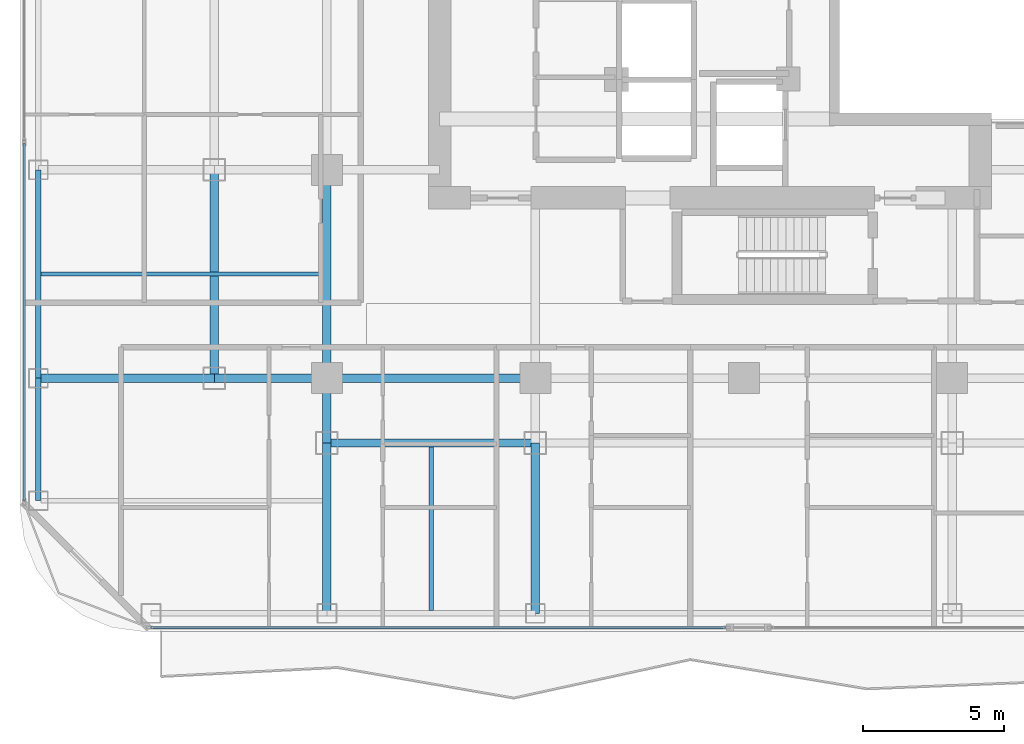
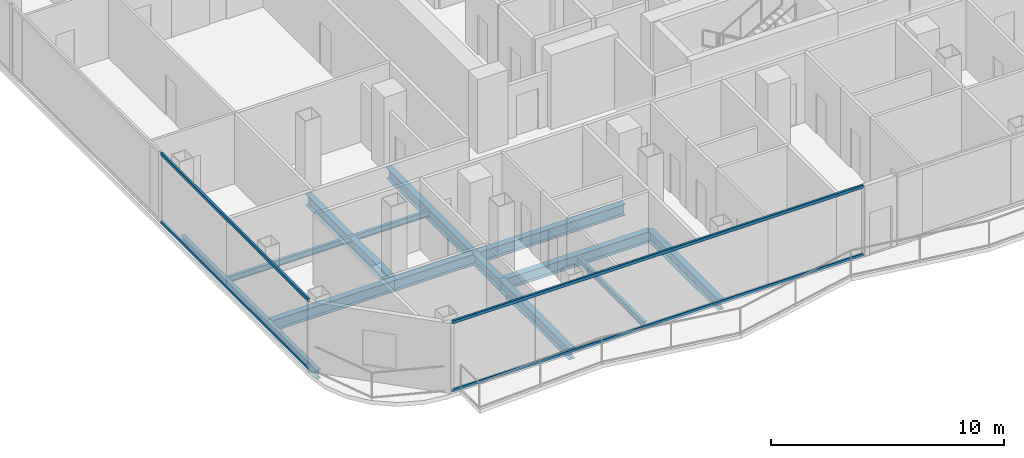
# One storey, part 3 of 25: 13 beams, 4 members, 2 elements without a shape of their own.
"""IFC4 building model written with IfcOpenShell, lengths in metres."""

from ifc_helpers import new_model, si_unit, direction, frame, origin, origin_2d, place, context, subcontext, project, spatial, hollow_rectangle, i_section, extrude, material, layer, layer_set, material_profile, profile_set, type_object, element, aggregate, save


model = new_model("IFC4")

# Units and contexts
model_context = context("Model", 3, precision=1e-05, world=origin(), true_north=direction((0.0, 1.0)))
body_context = subcontext(model_context, "Body", "Model", "MODEL_VIEW")
ifc_project = project(units=[si_unit("LENGTHUNIT", "METRE"), si_unit("AREAUNIT", "SQUARE_METRE"), si_unit("VOLUMEUNIT", "CUBIC_METRE"), si_unit("PLANEANGLEUNIT", "RADIAN"), si_unit("MASSUNIT", "GRAM", prefix="KILO")], contexts=[model_context])

# Site, building, storey
site_placement = place(None, origin())
site = spatial("IfcSite", under=ifc_project, at=site_placement, CompositionType="ELEMENT")
building_placement = place(site_placement, origin())
building = spatial("IfcBuilding", under=site, at=building_placement, Name="Khorvyn Point Tower", CompositionType="ELEMENT")
storey_placement = place(building_placement, frame((0.0, 0.0, 171.89990234375)))
storey = spatial("IfcBuildingStorey", under=building, at=storey_placement, Name="L42", CompositionType="ELEMENT", Elevation=171.89990234375)

# Curtain wall, members
ifc_material_1 = material(Name="Anodised aluminium 6063-T6 and laminated Low-E glass", Category="aluminium")
ifc_layer = layer(ifc_material_1, 0.18994140625)
ifc_layer_set = layer_set([ifc_layer], Name="Stick-Built Acoustic Curtain Wall CW-SYS-03")
curtain_wall_type = type_object("IfcCurtainWallType", Name="Stick-Built Acoustic Curtain Wall CW-SYS-03", PredefinedType="NOTDEFINED", material=ifc_layer_set)
curtain_wall_1_placement = place(storey_placement, origin())
curtain_wall_1 = element("IfcCurtainWall", 1, at=curtain_wall_1_placement, inside=storey, type_object=curtain_wall_type, Name="Curtain Wall", PredefinedType="NOTDEFINED")
ifc_material_2 = material(Name="Anodised aluminium 6063-T6", Category="aluminium")
ifc_material_profile_1 = material_profile(ifc_material_2, hollow_rectangle(XDim=0.10009765625, YDim=0.159912109375, WallThickness=0.00439453125, at=origin_2d()))
ifc_profile_set_1 = profile_set([ifc_material_profile_1], Name="Anodised aluminium 6063-T6 ALU-TRN-100x160")
member_type = type_object("IfcMemberType", Name="Anodised Aluminium 6063-T6 Transom ALU-TRN-100x160", PredefinedType="USERDEFINED", material=ifc_profile_set_1)
member_1_placement = place(storey_placement, frame((-0.64306640625, -23.64990234375, 0.050048828125), z_axis=(-1.0, 0.0, 0.0), x_axis=(0.0, -1.0, 0.0)))
member_1 = element("IfcMember", 2, at=member_1_placement, type_object=member_type, Name="Transom", ObjectType="TRANSOM", PredefinedType="USERDEFINED", context=body_context, shape_type="SweptSolid", body=[
    extrude(hollow_rectangle(XDim=0.10009765625, YDim=0.159912109375, WallThickness=0.00439453125, at=origin_2d()), origin(), (0.0, 0.0, 1.0), 20.406982421875),
])
member_2_placement = place(storey_placement, frame((-0.64306640625, -23.64990234375, 3.630126953125), z_axis=(-1.0, 0.0, 0.0), x_axis=(0.0, -1.0, 0.0)))
member_2 = element("IfcMember", 3, at=member_2_placement, type_object=member_type, Name="Transom", ObjectType="TRANSOM", PredefinedType="USERDEFINED", context=body_context, shape_type="SweptSolid", body=[
    extrude(hollow_rectangle(XDim=0.10009765625, YDim=0.159912109375, WallThickness=0.00439453125, at=origin_2d()), origin(), (0.0, 0.0, 1.0), 20.406982421875),
])
aggregate(curtain_wall_1, [member_1, member_2])

curtain_wall_2_placement = place(storey_placement, origin())
curtain_wall_2 = element("IfcCurtainWall", 4, at=curtain_wall_2_placement, inside=storey, type_object=curtain_wall_type, Name="Curtain Wall", PredefinedType="NOTDEFINED")
member_3_placement = place(storey_placement, frame((-25.550048828125, -19.14990234375, 0.050048828125), z_axis=(0.0, 1.0, 0.0), x_axis=(-1.0, 0.0, 0.0)))
member_3 = element("IfcMember", 5, at=member_3_placement, type_object=member_type, Name="Transom", ObjectType="TRANSOM", PredefinedType="USERDEFINED", context=body_context, shape_type="SweptSolid", body=[
    extrude(hollow_rectangle(XDim=0.10009765625, YDim=0.159912109375, WallThickness=0.00439453125, at=origin_2d()), origin(), (0.0, 0.0, 1.0), 12.683349609375),
])
member_4_placement = place(storey_placement, frame((-25.550048828125, -19.14990234375, 3.630126953125), z_axis=(0.0, 1.0, 0.0), x_axis=(-1.0, 0.0, 0.0)))
member_4 = element("IfcMember", 6, at=member_4_placement, type_object=member_type, Name="Transom", ObjectType="TRANSOM", PredefinedType="USERDEFINED", context=body_context, shape_type="SweptSolid", body=[
    extrude(hollow_rectangle(XDim=0.10009765625, YDim=0.159912109375, WallThickness=0.00439453125, at=origin_2d()), origin(), (0.0, 0.0, 1.0), 12.683349609375),
])
aggregate(curtain_wall_2, [member_3, member_4])

# Beams
ifc_material_3 = material(Name="Steel S355", Category="steel")
ifc_material_profile_2 = material_profile(ifc_material_3, i_section(OverallWidth=0.300048828125, OverallDepth=0.587890625, WebThickness=0.011962890625, FlangeThickness=0.02001953125, at=origin_2d()))
ifc_profile_set_2 = profile_set([ifc_material_profile_2], Name="Steel S355 H588x300x12x20")
beam_type_1 = type_object("IfcBeamType", Name="Steel S355 Beam H588x300x12x20", PredefinedType="BEAM", material=ifc_profile_set_2)
beam_1_placement = place(storey_placement, frame((-25.050048828125, -14.800048828125, -0.513916015625), z_axis=(1.0, 0.0, 0.0), x_axis=(0.0, 1.0, 0.0)))
element("IfcBeam", 7, at=beam_1_placement, inside=storey, type_object=beam_type_1, Name="Beam", PredefinedType="BEAM", context=body_context, shape_type="SweptSolid", body=[
    extrude(i_section(OverallWidth=0.300048828125, OverallDepth=0.587890625, WebThickness=0.011962890625, FlangeThickness=0.02001953125, at=origin_2d()), origin(), (0.0, 0.0, 1.0), 6.25),
])
beam_2_placement = place(storey_placement, frame((-18.800048828125, -14.800048828125, -0.513916015625), z_axis=(1.0, 0.0, 0.0), x_axis=(0.0, 1.0, 0.0)))
element("IfcBeam", 8, at=beam_2_placement, inside=storey, type_object=beam_type_1, Name="Beam", PredefinedType="BEAM", context=body_context, shape_type="SweptSolid", body=[
    extrude(i_section(OverallWidth=0.300048828125, OverallDepth=0.587890625, WebThickness=0.011962890625, FlangeThickness=0.02001953125, at=origin_2d()), origin(), (0.0, 0.0, 1.0), 4.0),
])
for number, where, z_axis, x_axis, name in (
    (9, (-14.800048828125, -14.800048828125, -0.513916015625), (1.0, 0.0, 0.0), (0.0, 1.0, 0.0), "Beam"),
    (10, (-14.800048828125, -17.10009765625, -0.513916015625), (1.0, 0.0, 0.0), (0.0, 1.0, 0.0), "Beam"),
):
    element("IfcBeam", number, at=place(storey_placement, frame(where, z_axis=z_axis, x_axis=x_axis)), inside=storey, type_object=beam_type_1, Name=name, PredefinedType="BEAM", context=body_context, shape_type="SweptSolid", body=[
        extrude(i_section(OverallWidth=0.300048828125, OverallDepth=0.587890625, WebThickness=0.011962890625, FlangeThickness=0.02001953125, at=origin_2d()), origin(), (0.0, 0.0, 1.0), 7.400146484375),
    ])
beam_3_placement = place(storey_placement, frame((-14.800048828125, -23.14990234375, -0.513916015625), z_axis=(0.0, 1.0, 0.0), x_axis=(-1.0, 0.0, 0.0)))
element("IfcBeam", 11, at=beam_3_placement, inside=storey, type_object=beam_type_1, Name="Beam", PredefinedType="BEAM", context=body_context, shape_type="SweptSolid", body=[
    extrude(i_section(OverallWidth=0.300048828125, OverallDepth=0.587890625, WebThickness=0.011962890625, FlangeThickness=0.02001953125, at=origin_2d()), origin(), (0.0, 0.0, 1.0), 6.0498046875),
])
beam_4_placement = place(storey_placement, frame((-14.800048828125, -17.10009765625, -0.513916015625), z_axis=(0.0, 1.0, 0.0), x_axis=(-1.0, 0.0, 0.0)))
element("IfcBeam", 12, at=beam_4_placement, inside=storey, type_object=beam_type_1, Name="Beam", PredefinedType="BEAM", context=body_context, shape_type="SweptSolid", body=[
    extrude(i_section(OverallWidth=0.300048828125, OverallDepth=0.587890625, WebThickness=0.011962890625, FlangeThickness=0.02001953125, at=origin_2d()), origin(), (0.0, 0.0, 1.0), 2.300048828125),
])
beam_5_placement = place(storey_placement, frame((-14.800048828125, -14.800048828125, -0.513916015625), z_axis=(0.0, 1.0, 0.0), x_axis=(-1.0, 0.0, 0.0)))
element("IfcBeam", 13, at=beam_5_placement, inside=storey, type_object=beam_type_1, Name="Beam", PredefinedType="BEAM", context=body_context, shape_type="SweptSolid", body=[
    extrude(i_section(OverallWidth=0.300048828125, OverallDepth=0.587890625, WebThickness=0.011962890625, FlangeThickness=0.02001953125, at=origin_2d()), origin(), (0.0, 0.0, 1.0), 7.400146484375),
])
beam_6_placement = place(storey_placement, frame((-7.39990234375, -23.14990234375, -0.513916015625), z_axis=(0.0, 1.0, 0.0), x_axis=(-1.0, 0.0, 0.0)))
element("IfcBeam", 14, at=beam_6_placement, inside=storey, type_object=beam_type_1, Name="Beam", PredefinedType="BEAM", context=body_context, shape_type="SweptSolid", body=[
    extrude(i_section(OverallWidth=0.300048828125, OverallDepth=0.587890625, WebThickness=0.011962890625, FlangeThickness=0.02001953125, at=origin_2d()), origin(), (0.0, 0.0, 1.0), 6.0498046875),
])
beam_7_placement = place(storey_placement, frame((-18.800048828125, -14.800048828125, -0.513916015625), z_axis=(0.0, 1.0, 0.0), x_axis=(-1.0, 0.0, 0.0)))
element("IfcBeam", 15, at=beam_7_placement, inside=storey, type_object=beam_type_1, Name="Beam", PredefinedType="BEAM", context=body_context, shape_type="SweptSolid", body=[
    extrude(i_section(OverallWidth=0.300048828125, OverallDepth=0.587890625, WebThickness=0.011962890625, FlangeThickness=0.02001953125, at=origin_2d()), origin(), (0.0, 0.0, 1.0), 7.400146484375),
])
ifc_material_profile_3 = material_profile(ifc_material_3, i_section(OverallWidth=0.14990234375, OverallDepth=0.300048828125, WebThickness=0.006591796875, FlangeThickness=0.009033203125, at=origin_2d()))
ifc_profile_set_3 = profile_set([ifc_material_profile_3], Name="Steel S355 H300x150x6.5x9")
beam_type_2 = type_object("IfcBeamType", Name="Steel S355 Joist H300x150x6.5x9", PredefinedType="JOIST", material=ifc_profile_set_3)
beam_8_placement = place(storey_placement, frame((-24.949951171875, -11.10009765625, -0.369873046875), z_axis=(1.0, 0.0, 0.0), x_axis=(0.0, 1.0, 0.0)))
element("IfcBeam", 16, at=beam_8_placement, inside=storey, type_object=beam_type_2, Name="Beam", PredefinedType="JOIST", context=body_context, shape_type="SweptSolid", body=[
    extrude(i_section(OverallWidth=0.14990234375, OverallDepth=0.300048828125, WebThickness=0.006591796875, FlangeThickness=0.009033203125, at=origin_2d()), origin(), (0.0, 0.0, 1.0), 10.0),
])
beam_9_placement = place(storey_placement, frame((-11.10009765625, -23.050048828125, -0.369873046875), z_axis=(0.0, 1.0, 0.0), x_axis=(-1.0, 0.0, 0.0)))
element("IfcBeam", 17, at=beam_9_placement, inside=storey, type_object=beam_type_2, Name="Beam", PredefinedType="JOIST", context=body_context, shape_type="SweptSolid", body=[
    extrude(i_section(OverallWidth=0.14990234375, OverallDepth=0.300048828125, WebThickness=0.006591796875, FlangeThickness=0.009033203125, at=origin_2d()), origin(), (0.0, 0.0, 1.0), 5.800048828125),
])
ifc_material_profile_4 = material_profile(ifc_material_3, i_section(OverallWidth=0.199951171875, OverallDepth=0.449951171875, WebThickness=0.009033203125, FlangeThickness=0.013916015625, at=origin_2d()))
ifc_profile_set_4 = profile_set([ifc_material_profile_4], Name="Steel S355 H450x200x9x14")
beam_type_3 = type_object("IfcBeamType", Name="Steel S355 Spandrel H450x200x9x14", PredefinedType="SPANDREL", material=ifc_profile_set_4)
beam_10_placement = place(storey_placement, frame((-25.050048828125, -19.14990234375, -0.44482421875), z_axis=(0.0, 1.0, 0.0), x_axis=(-1.0, 0.0, 0.0)))
element("IfcBeam", 18, at=beam_10_placement, inside=storey, type_object=beam_type_3, Name="Beam", PredefinedType="SPANDREL", context=body_context, shape_type="SweptSolid", body=[
    extrude(i_section(OverallWidth=0.199951171875, OverallDepth=0.449951171875, WebThickness=0.009033203125, FlangeThickness=0.013916015625, at=origin_2d()), origin(), (0.0, 0.0, 1.0), 4.349853515625),
])
beam_11_placement = place(storey_placement, frame((-25.050048828125, -14.800048828125, -0.44482421875), z_axis=(0.0, 1.0, 0.0), x_axis=(-1.0, 0.0, 0.0)))
element("IfcBeam", 19, at=beam_11_placement, inside=storey, type_object=beam_type_3, Name="Beam", PredefinedType="SPANDREL", context=body_context, shape_type="SweptSolid", body=[
    extrude(i_section(OverallWidth=0.199951171875, OverallDepth=0.449951171875, WebThickness=0.009033203125, FlangeThickness=0.013916015625, at=origin_2d()), origin(), (0.0, 0.0, 1.0), 7.400146484375),
])

save(model, "model.ifc")
